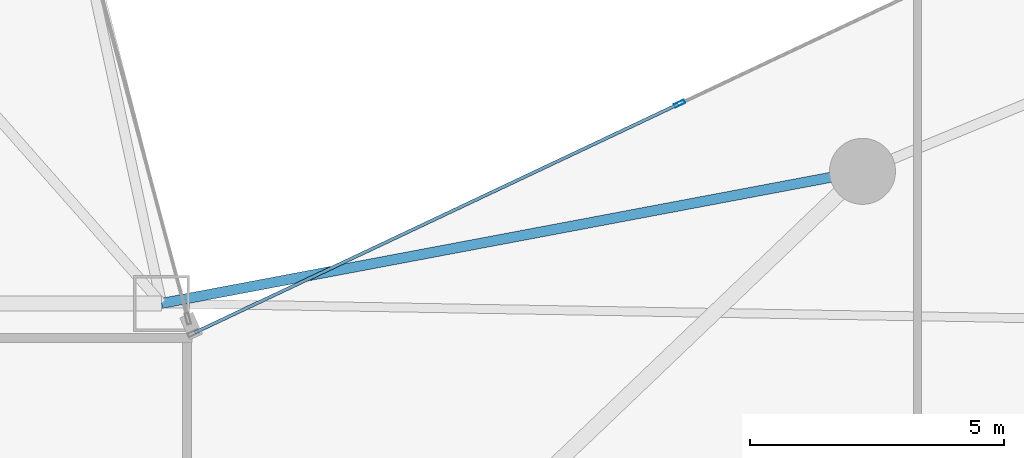
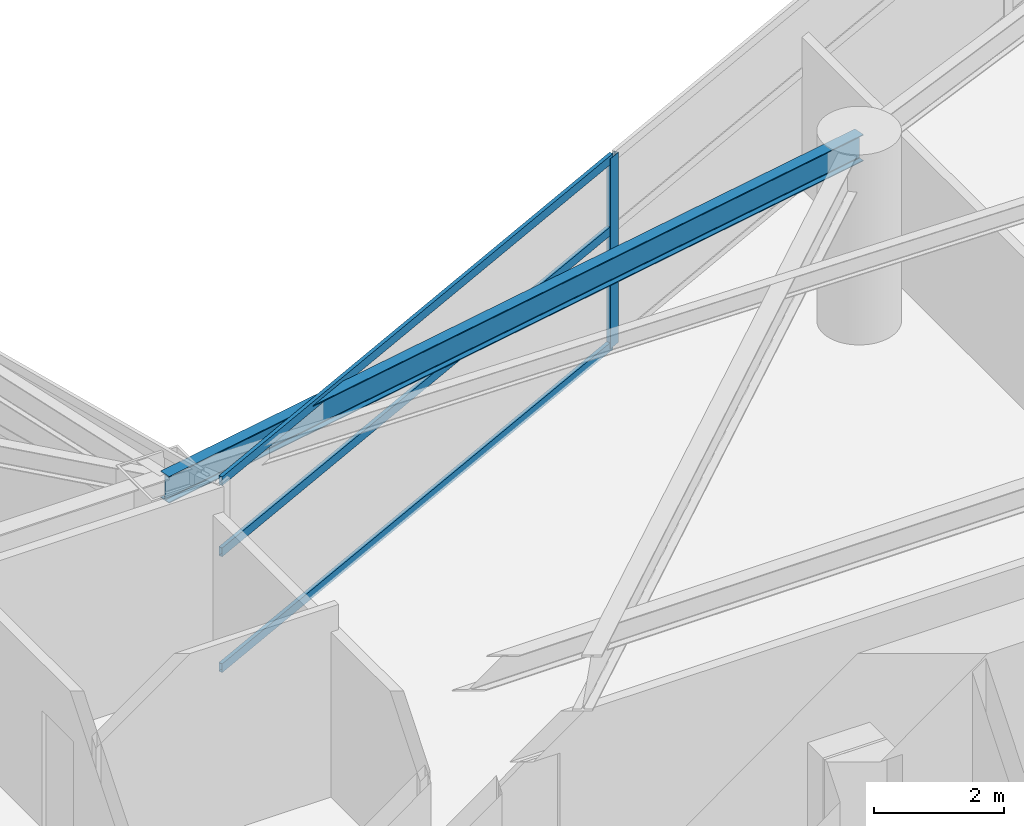
# One storey, part 11 of 30: 4 members, 1 beam, 1 element without a shape of its own.
"""IFC4 building model written with IfcOpenShell, lengths in metres."""

from ifc_helpers import new_model, si_unit, direction, frame, origin, origin_2d, place, context, subcontext, project, spatial, hollow_rectangle, i_section, extrude, material, layer, layer_set, material_profile, profile_set, type_object, element, aggregate, save


model = new_model("IFC4")

# Units and contexts
model_context = context("Model", 3, precision=1e-05, world=origin(), true_north=direction((0.0, 1.0)))
body_context = subcontext(model_context, "Body", "Model", "MODEL_VIEW")
ifc_project = project(units=[si_unit("LENGTHUNIT", "METRE"), si_unit("AREAUNIT", "SQUARE_METRE"), si_unit("VOLUMEUNIT", "CUBIC_METRE"), si_unit("PLANEANGLEUNIT", "RADIAN"), si_unit("MASSUNIT", "GRAM", prefix="KILO")], contexts=[model_context])

# Site, building, storey
site_placement = place(None, origin())
site = spatial("IfcSite", under=ifc_project, at=site_placement, CompositionType="ELEMENT")
building_placement = place(site_placement, origin())
building = spatial("IfcBuilding", under=site, at=building_placement, Name="Calvorn Quay Hotel", CompositionType="ELEMENT")
storey_placement = place(building_placement, frame((0.0, 0.0, 30.800048828125)))
storey = spatial("IfcBuildingStorey", under=building, at=storey_placement, Name="L06", CompositionType="ELEMENT", Elevation=30.800048828125)

# Beam
ifc_material_1 = material(Name="Steel Q355B", Category="steel")
ifc_material_profile_1 = material_profile(ifc_material_1, i_section(OverallWidth=0.199951171875, OverallDepth=0.5, WebThickness=0.010009765625, FlangeThickness=0.01611328125, FilletRadius=0.01611328125, at=origin_2d()), Name="HN500x200x10x16")
ifc_profile_set_1 = profile_set([ifc_material_profile_1], Name="Steel Q355B")
beam_type = type_object("IfcBeamType", Name="BM-SPANDREL-Z1", PredefinedType="SPANDREL", material=ifc_profile_set_1)
beam_placement = place(storey_placement, frame((34.800048828125, 27.60009765625, 3.2900390625), z_axis=(-0.982709432406, -0.185154452988, 0.0), x_axis=(0.185154452988, -0.982709432406, 0.0)))
element("IfcBeam", 1, at=beam_placement, inside=storey, type_object=beam_type, Name="Beam BSP-L06-E5", PredefinedType="SPANDREL", context=body_context, shape_type="SweptSolid", body=[
    extrude(i_section(OverallWidth=0.199951171875, OverallDepth=0.5, WebThickness=0.010009765625, FlangeThickness=0.01611328125, FilletRadius=0.01611328125, at=origin_2d()), origin(), (0.0, 0.0, 1.0), 14.04296875),
])

# Curtain wall, members
ifc_material_2 = material(Name="Pale Anodised Aluminium and Low-E Glass", Category="aluminium")
ifc_layer = layer(ifc_material_2, 0.219970703125)
ifc_layer_set = layer_set([ifc_layer], Name="CW-SYS-Z1")
curtain_wall_type = type_object("IfcCurtainWallType", Name="CW-SYS-Z1", PredefinedType="NOTDEFINED", material=ifc_layer_set)
curtain_wall_placement = place(storey_placement, origin())
curtain_wall = element("IfcCurtainWall", 2, at=curtain_wall_placement, inside=storey, type_object=curtain_wall_type, Name="Inner Court Curtain Wall L06-NE1", PredefinedType="NOTDEFINED")
ifc_material_3 = material(Name="Pale Anodised Aluminium 6063-T6", Category="aluminium")
ifc_material_profile_2 = material_profile(ifc_material_3, hollow_rectangle(XDim=0.074951171875, YDim=0.219970703125, WallThickness=0.00439453125, at=origin_2d()), Name="ALU-M220x75x4.5")
ifc_profile_set_2 = profile_set([ifc_material_profile_2], Name="Pale Anodised Aluminium 6063-T6")
member_type_1 = type_object("IfcMemberType", Name="CW-SYS-Z1-MUL", PredefinedType="MULLION", material=ifc_profile_set_2)
member_1_placement = place(storey_placement, frame((31.199951171875, 28.933349609375, 0.0), z_axis=(0.0, 0.0, 1.0), x_axis=(0.427006305415, -0.904248646743, 0.0)))
member_1 = element("IfcMember", 3, at=member_1_placement, type_object=member_type_1, Name="CW-L06-NE1 mullion 3", PredefinedType="MULLION", context=body_context, shape_type="SweptSolid", body=[
    extrude(hollow_rectangle(XDim=0.074951171875, YDim=0.219970703125, WallThickness=0.00439453125, at=origin_2d()), origin(), (0.0, 0.0, 1.0), 3.56005859375),
])
ifc_material_4 = material(Name="Pale Anodised Aluminium 6063-T6", Category="aluminium")
ifc_material_profile_3 = material_profile(ifc_material_4, hollow_rectangle(XDim=0.06494140625, YDim=0.1650390625, WallThickness=0.00341796875, at=origin_2d()), Name="ALU-T165x65x3.5")
ifc_profile_set_3 = profile_set([ifc_material_profile_3], Name="Pale Anodised Aluminium 6063-T6")
member_type_2 = type_object("IfcMemberType", Name="CW-SYS-Z1-TRN", PredefinedType="USERDEFINED", material=ifc_profile_set_3)
member_2_placement = place(storey_placement, frame((31.1728515625, 28.92041015625, 0.030029296875), z_axis=(-0.904248646746, -0.427006305408, 0.0), x_axis=(0.427006305408, -0.904248646746, 0.0)))
member_2 = element("IfcMember", 4, at=member_2_placement, type_object=member_type_2, Name="CW-L06-NE1 transom 3.1", ObjectType="TRANSOM", PredefinedType="USERDEFINED", context=body_context, shape_type="SweptSolid", body=[
    extrude(hollow_rectangle(XDim=0.06494140625, YDim=0.1650390625, WallThickness=0.00341796875, at=origin_2d()), origin(), (0.0, 0.0, 1.0), 10.5263671875),
])
member_3_placement = place(storey_placement, frame((31.1728515625, 28.92041015625, 2.199951171875), z_axis=(-0.904248646746, -0.427006305408, 0.0), x_axis=(0.427006305408, -0.904248646746, 0.0)))
member_3 = element("IfcMember", 5, at=member_3_placement, type_object=member_type_2, Name="CW-L06-NE1 transom 3.2", ObjectType="TRANSOM", PredefinedType="USERDEFINED", context=body_context, shape_type="SweptSolid", body=[
    extrude(hollow_rectangle(XDim=0.06494140625, YDim=0.1650390625, WallThickness=0.00341796875, at=origin_2d()), origin(), (0.0, 0.0, 1.0), 10.5263671875),
])
member_4_placement = place(storey_placement, frame((31.1728515625, 28.92041015625, 3.530029296875), z_axis=(-0.904248646746, -0.427006305408, 0.0), x_axis=(0.427006305408, -0.904248646746, 0.0)))
member_4 = element("IfcMember", 6, at=member_4_placement, type_object=member_type_2, Name="CW-L06-NE1 transom 3.3", ObjectType="TRANSOM", PredefinedType="USERDEFINED", context=body_context, shape_type="SweptSolid", body=[
    extrude(hollow_rectangle(XDim=0.06494140625, YDim=0.1650390625, WallThickness=0.00341796875, at=origin_2d()), origin(), (0.0, 0.0, 1.0), 10.5263671875),
])
aggregate(curtain_wall, [member_1, member_2, member_3, member_4])

save(model, "model.ifc")
